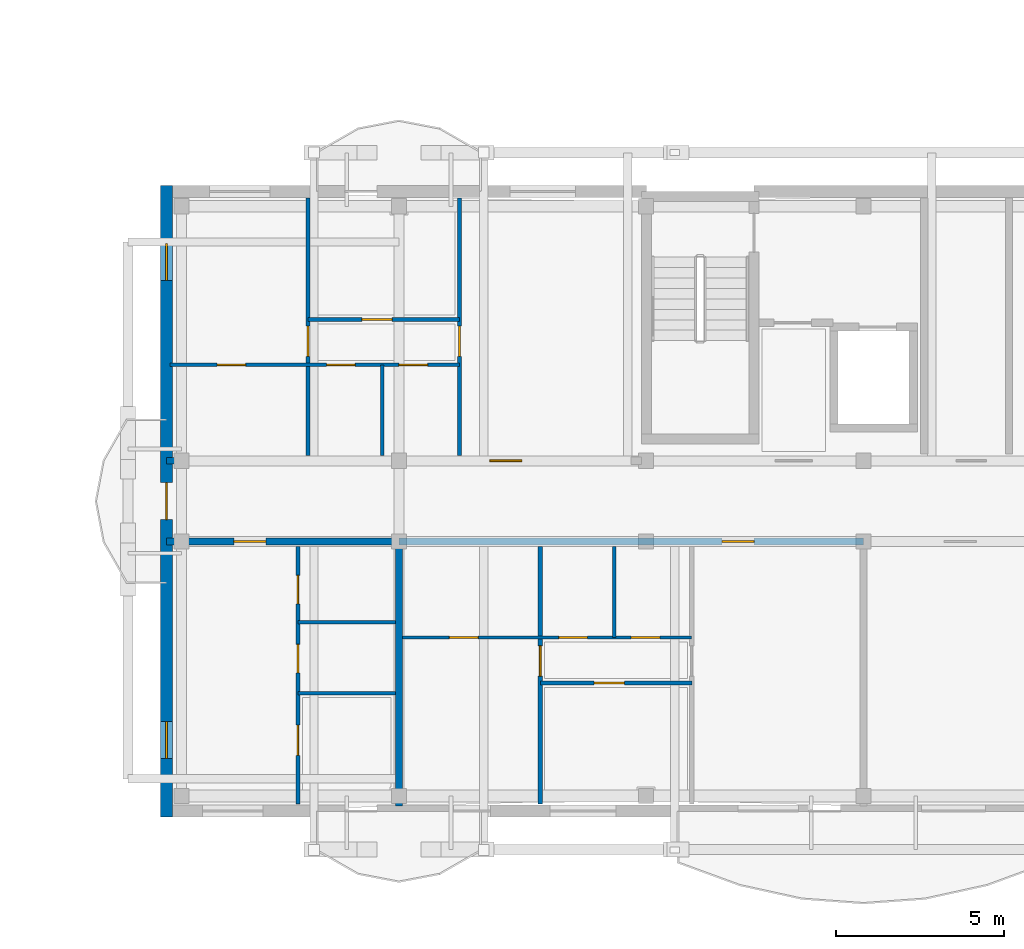
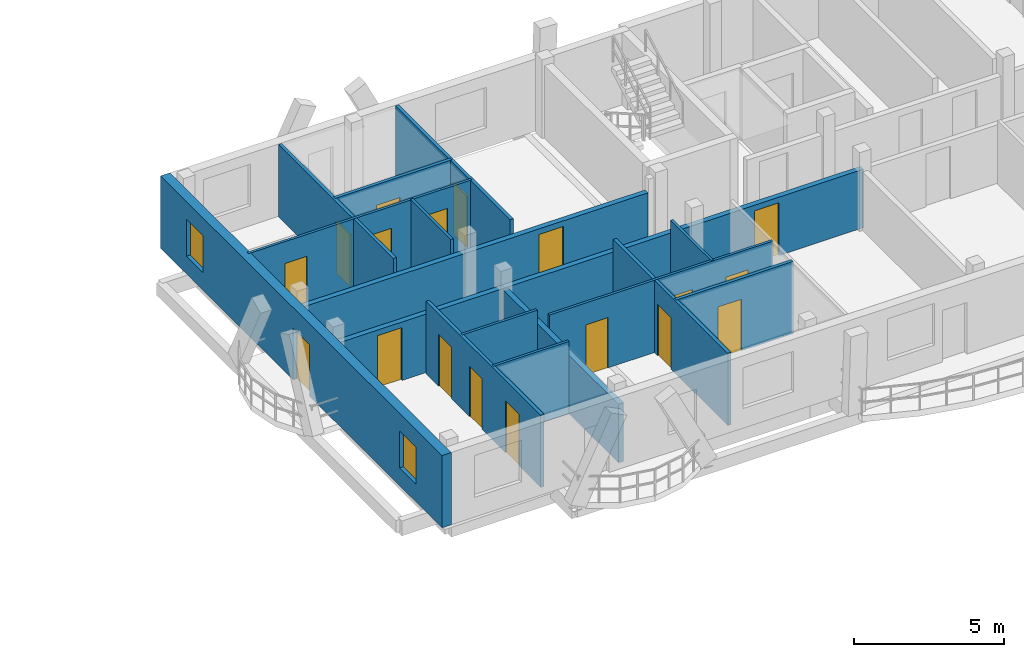
# One storey, part 22 of 52: 18 doors, 17 walls, 2 windows, 20 openings.
"""IFC4 building model written with IfcOpenShell, lengths in metres."""

from ifc_helpers import new_model, si_unit, direction, frame, frame_2d, origin, origin_with_axes, place, context, subcontext, project, spatial, rectangle, extrude, material, layer, layer_set, type_object, element, fill, save


model = new_model("IFC4")

# Units and contexts
model_context = context("Model", 3, precision=1e-05, world=origin(), true_north=direction((0.0, 1.0)))
body_context = subcontext(model_context, "Body", "Model", "MODEL_VIEW")
ifc_project = project(units=[si_unit("LENGTHUNIT", "METRE"), si_unit("AREAUNIT", "SQUARE_METRE"), si_unit("VOLUMEUNIT", "CUBIC_METRE"), si_unit("PLANEANGLEUNIT", "RADIAN"), si_unit("MASSUNIT", "GRAM", prefix="KILO")], contexts=[model_context])

# Site, building, storey
site_placement = place(None, origin())
site = spatial("IfcSite", under=ifc_project, at=site_placement, CompositionType="ELEMENT")
building_placement = place(site_placement, origin())
building = spatial("IfcBuilding", under=site, at=building_placement, Name="Zavelmont Quarter", CompositionType="ELEMENT")
storey_placement = place(building_placement, frame((0.0, 0.0, 14.39990234375)))
storey = spatial("IfcBuildingStorey", under=building, at=storey_placement, Name="L04", CompositionType="ELEMENT", Elevation=14.39990234375)

# Wall, openings, door, windows
ifc_material_1 = material(Name="Natural Belgian limestone", Category="masonry")
ifc_layer_1 = layer(ifc_material_1, 0.360107421875)
ifc_layer_set_1 = layer_set([ifc_layer_1], Name="Natural Belgian limestone")
wall_type_1 = type_object("IfcWallType", Name="EW02", PredefinedType="STANDARD", material=ifc_layer_set_1)
wall_1_placement = place(storey_placement, frame((112.800048828125, -0.179931640625, 0.0), z_axis=(0.0, 0.0, 1.0), x_axis=(0.0, 1.0, 0.0)))
wall_1 = element("IfcWall", 1, at=wall_1_placement, inside=storey, type_object=wall_type_1, Name="L04 exterior limestone wall EW02", PredefinedType="STANDARD", context=body_context, shape_type="SweptSolid", body=[
    extrude(rectangle(XDim=18.760009765625, YDim=0.360107421875, at=frame_2d((9.3798828125, 0.0))), origin(), (0.0, 0.0, 1.0), 2.940185546875),
])
opening_1_placement = place(wall_1_placement, frame((8.830078125, 0.0, 0.0)))
opening_1 = element("IfcOpeningElement", 2, at=opening_1_placement, cuts=wall_1, Name="Opening DR04B", PredefinedType="OPENING", context=body_context, shape_type="SweptSolid", body=[
    extrude(rectangle(XDim=1.10009765625, YDim=2.10009765625, at=frame_2d((0.550048828125, 1.050048828125))), frame((0.0, 0.19189453125, 0.0), z_axis=(0.0, -1.0, 0.0), x_axis=(1.0, 0.0, 0.0)), (0.0, 0.0, 1.0), 0.384033203125),
])
opening_2_placement = place(wall_1_placement, frame((1.72998046875, 0.0, 0.719970703125)))
opening_2 = element("IfcOpeningElement", 3, at=opening_2_placement, cuts=wall_1, Name="Opening WN09", PredefinedType="OPENING", context=body_context, shape_type="SweptSolid", body=[
    extrude(rectangle(XDim=1.10009765625, YDim=1.5, at=frame_2d((0.550048828125, 0.75))), frame((0.0, 0.19189453125, 0.0), z_axis=(0.0, -1.0, 0.0), x_axis=(1.0, 0.0, 0.0)), (0.0, 0.0, 1.0), 0.384033203125),
])
opening_3_placement = place(wall_1_placement, frame((15.929931640625, 0.0, 0.719970703125)))
opening_3 = element("IfcOpeningElement", 4, at=opening_3_placement, cuts=wall_1, Name="Opening WN09", PredefinedType="OPENING", context=body_context, shape_type="SweptSolid", body=[
    extrude(rectangle(XDim=1.10009765625, YDim=1.5, at=frame_2d((0.550048828125, 0.75))), frame((0.0, 0.19189453125, 0.0), z_axis=(0.0, -1.0, 0.0), x_axis=(1.0, 0.0, 0.0)), (0.0, 0.0, 1.0), 0.384033203125),
])
ifc_material_2 = material(Name="Thermally broken aluminium and double safety glass", Category="aluminium")
door_type_1 = type_object("IfcDoorType", Name="DR04B", OperationType="NOTDEFINED", PredefinedType="DOOR", material=ifc_material_2)
door_1_placement = place(opening_1_placement, frame((1.10009765625, 0.0, 0.0), z_axis=(0.0, 0.0, 1.0), x_axis=(-1.0, 0.0, 0.0)))
door_1 = element("IfcDoor", 5, at=door_1_placement, inside=storey, type_object=door_type_1, Name="Block D L04 terrace or vase balcony door", OperationType="SINGLE_SWING_RIGHT", OverallHeight=2.10009765625, OverallWidth=1.10009765625, PredefinedType="DOOR", context=body_context, shape_type="SweptSolid", body=[
    extrude(rectangle(XDim=1.10009765625, YDim=2.10009765625, at=frame_2d((0.550048828125, 1.050048828125))), frame((0.0, 0.02490234375, 0.0), z_axis=(0.0, -1.0, 0.0), x_axis=(1.0, 0.0, 0.0)), (0.0, 0.0, 1.0), 0.050048828125),
])
fill(opening_1, door_1)
ifc_material_3 = material(Name="Double low-E insulated glazing in thermally broken aluminium frame", Category="aluminium")
window_type = type_object("IfcWindowType", Name="WN09", PartitioningType="SINGLE_PANEL", PredefinedType="WINDOW", material=ifc_material_3)
window_1_placement = place(opening_2_placement, origin_with_axes())
window_1 = element("IfcWindow", 6, at=window_1_placement, inside=storey, type_object=window_type, Name="L04 window WN09", OverallHeight=1.5, OverallWidth=1.10009765625, PartitioningType="SINGLE_PANEL", PredefinedType="WINDOW", context=body_context, shape_type="SweptSolid", body=[
    extrude(rectangle(XDim=1.10009765625, YDim=1.5, at=frame_2d((0.550048828125, 0.75))), frame((0.0, 0.030029296875, 0.0), z_axis=(0.0, -1.0, 0.0), x_axis=(1.0, 0.0, 0.0)), (0.0, 0.0, 1.0), 0.06005859375),
])
fill(opening_2, window_1)
window_2_placement = place(opening_3_placement, origin_with_axes())
window_2 = element("IfcWindow", 7, at=window_2_placement, inside=storey, type_object=window_type, Name="L04 window WN09", OverallHeight=1.5, OverallWidth=1.10009765625, PartitioningType="SINGLE_PANEL", PredefinedType="WINDOW", context=body_context, shape_type="SweptSolid", body=[
    extrude(rectangle(XDim=1.10009765625, YDim=1.5, at=frame_2d((0.550048828125, 0.75))), frame((0.0, 0.030029296875, 0.0), z_axis=(0.0, -1.0, 0.0), x_axis=(1.0, 0.0, 0.0)), (0.0, 0.0, 1.0), 0.06005859375),
])
fill(opening_3, window_2)

# Wall
ifc_material_4 = material(Name="Calcium-silicate blockwork and acoustic plaster", Category="masonry")
ifc_layer_2 = layer(ifc_material_4, 0.199951171875)
ifc_layer_set_2 = layer_set([ifc_layer_2], Name="Calcium-silicate blockwork and acoustic plaster")
wall_type_2 = type_object("IfcWallType", Name="IW01", PredefinedType="PARTITIONING", material=ifc_layer_set_2)
wall_2_placement = place(storey_placement, frame((119.699951171875, 7.85009765625, 0.0), z_axis=(0.0, 0.0, 1.0), x_axis=(0.0, -1.0, 0.0)))
element("IfcWall", 8, at=wall_2_placement, inside=storey, type_object=wall_type_2, Name="L04 Inter-dwelling compartment wall IW01", PredefinedType="PARTITIONING", context=body_context, shape_type="SweptSolid", body=[
    extrude(rectangle(XDim=7.7001953125, YDim=0.199951171875, at=frame_2d((3.85009765625, 0.0))), origin(), (0.0, 0.0, 1.0), 2.380126953125),
])

# Wall, opening, door
wall_3_placement = place(storey_placement, frame((112.800048828125, 8.0, 0.0), z_axis=(0.0, 0.0, 1.0), x_axis=(1.0, 0.0, 0.0)))
wall_3 = element("IfcWall", 9, at=wall_3_placement, inside=storey, type_object=wall_type_2, Name="L04 Corridor compartment wall IW01", PredefinedType="PARTITIONING", context=body_context, shape_type="SweptSolid", body=[
    extrude(rectangle(XDim=6.89990234375, YDim=0.199951171875, at=frame_2d((3.449951171875, 0.0))), origin(), (0.0, 0.0, 1.0), 2.380126953125),
])
opening_4_placement = place(wall_3_placement, frame((2.0, 0.0, 0.0)))
opening_4 = element("IfcOpeningElement", 10, at=opening_4_placement, cuts=wall_3, Name="Opening DR02", PredefinedType="OPENING", context=body_context, shape_type="SweptSolid", body=[
    extrude(rectangle(XDim=0.949951171875, YDim=2.14990234375, at=frame_2d((0.47509765625, 1.074951171875))), frame((0.0, 0.11181640625, 0.0), z_axis=(0.0, -1.0, 0.0), x_axis=(1.0, 0.0, 0.0)), (0.0, 0.0, 1.0), 0.223876953125),
])
ifc_material_5 = material(Name="Solid-core oak fire leaf in steel frame", Category="steel")
door_type_2 = type_object("IfcDoorType", Name="DR02", OperationType="NOTDEFINED", PredefinedType="DOOR", material=ifc_material_5)
door_2_placement = place(opening_4_placement, frame((0.949951171875, 0.0, 0.0), z_axis=(0.0, 0.0, 1.0), x_axis=(-1.0, 0.0, 0.0)))
door_2 = element("IfcDoor", 11, at=door_2_placement, inside=storey, type_object=door_type_2, Name="L04 door DR02", OperationType="SINGLE_SWING_RIGHT", OverallHeight=2.14990234375, OverallWidth=0.949951171875, PredefinedType="DOOR", context=body_context, shape_type="SweptSolid", body=[
    extrude(rectangle(XDim=0.949951171875, YDim=2.14990234375, at=frame_2d((0.47509765625, 1.074951171875))), frame((0.0, 0.02490234375, 0.0), z_axis=(0.0, -1.0, 0.0), x_axis=(1.0, 0.0, 0.0)), (0.0, 0.0, 1.0), 0.050048828125),
])
fill(opening_4, door_2)

wall_4_placement = place(storey_placement, frame((119.699951171875, 8.0, 0.0), z_axis=(0.0, 0.0, 1.0), x_axis=(1.0, 0.0, 0.0)))
wall_4 = element("IfcWall", 12, at=wall_4_placement, inside=storey, type_object=wall_type_2, Name="L04 Corridor compartment wall IW01", PredefinedType="PARTITIONING", context=body_context, shape_type="SweptSolid", body=[
    extrude(rectangle(XDim=13.800048828125, YDim=0.199951171875, at=frame_2d((6.89990234375, 0.0))), origin(), (0.0, 0.0, 1.0), 2.380126953125),
])
opening_5_placement = place(wall_4_placement, frame((9.60009765625, 0.0, 0.0)))
opening_5 = element("IfcOpeningElement", 13, at=opening_5_placement, cuts=wall_4, Name="Opening DR02", PredefinedType="OPENING", context=body_context, shape_type="SweptSolid", body=[
    extrude(rectangle(XDim=0.949951171875, YDim=2.14990234375, at=frame_2d((0.47509765625, 1.074951171875))), frame((0.0, 0.11181640625, 0.0), z_axis=(0.0, -1.0, 0.0), x_axis=(1.0, 0.0, 0.0)), (0.0, 0.0, 1.0), 0.223876953125),
])
door_3_placement = place(opening_5_placement, frame((0.949951171875, 0.0, 0.0), z_axis=(0.0, 0.0, 1.0), x_axis=(-1.0, 0.0, 0.0)))
door_3 = element("IfcDoor", 14, at=door_3_placement, inside=storey, type_object=door_type_2, Name="L04 door DR02", OperationType="SINGLE_SWING_LEFT", OverallHeight=2.14990234375, OverallWidth=0.949951171875, PredefinedType="DOOR", context=body_context, shape_type="SweptSolid", body=[
    extrude(rectangle(XDim=0.949951171875, YDim=2.14990234375, at=frame_2d((0.47509765625, 1.074951171875))), frame((0.0, 0.02490234375, 0.0), z_axis=(0.0, -1.0, 0.0), x_axis=(1.0, 0.0, 0.0)), (0.0, 0.0, 1.0), 0.050048828125),
])
fill(opening_5, door_3)

wall_5_placement = place(storey_placement, frame((112.800048828125, 10.39990234375, 0.0), z_axis=(0.0, 0.0, 1.0), x_axis=(1.0, 0.0, 0.0)))
wall_5 = element("IfcWall", 15, at=wall_5_placement, inside=storey, type_object=wall_type_2, Name="L04 Corridor compartment wall IW01", PredefinedType="PARTITIONING", context=body_context, shape_type="SweptSolid", body=[
    extrude(rectangle(XDim=13.800048828125, YDim=0.199951171875, at=frame_2d((6.89990234375, 0.0))), origin(), (0.0, 0.0, 1.0), 2.380126953125),
])
opening_6_placement = place(wall_5_placement, frame((9.60009765625, 0.0, 0.0)))
opening_6 = element("IfcOpeningElement", 16, at=opening_6_placement, cuts=wall_5, Name="Opening DR02", PredefinedType="OPENING", context=body_context, shape_type="SweptSolid", body=[
    extrude(rectangle(XDim=0.949951171875, YDim=2.14990234375, at=frame_2d((0.47509765625, 1.074951171875))), frame((0.0, 0.11181640625, 0.0), z_axis=(0.0, -1.0, 0.0), x_axis=(1.0, 0.0, 0.0)), (0.0, 0.0, 1.0), 0.223876953125),
])
door_4_placement = place(opening_6_placement, origin_with_axes())
door_4 = element("IfcDoor", 17, at=door_4_placement, inside=storey, type_object=door_type_2, Name="L04 door DR02", OperationType="SINGLE_SWING_RIGHT", OverallHeight=2.14990234375, OverallWidth=0.949951171875, PredefinedType="DOOR", context=body_context, shape_type="SweptSolid", body=[
    extrude(rectangle(XDim=0.949951171875, YDim=2.14990234375, at=frame_2d((0.47509765625, 1.074951171875))), frame((0.0, 0.02490234375, 0.0), z_axis=(0.0, -1.0, 0.0), x_axis=(1.0, 0.0, 0.0)), (0.0, 0.0, 1.0), 0.050048828125),
])
fill(opening_6, door_4)

# Wall, openings, doors
ifc_material_6 = material(Name="Double gypsum board on acoustic steel stud", Category="steel")
ifc_layer_3 = layer(ifc_material_6, 0.125)
ifc_layer_set_3 = layer_set([ifc_layer_3], Name="Double gypsum board on acoustic steel stud")
wall_type_3 = type_object("IfcWallType", Name="IW03", PredefinedType="PARTITIONING", material=ifc_layer_set_3)
wall_6_placement = place(storey_placement, frame((116.699951171875, 7.85009765625, 0.0), z_axis=(0.0, 0.0, 1.0), x_axis=(0.0, -1.0, 0.0)))
wall_6 = element("IfcWall", 18, at=wall_6_placement, inside=storey, type_object=wall_type_3, Name="L04 Partition IW03", PredefinedType="PARTITIONING", context=body_context, shape_type="SweptSolid", body=[
    extrude(rectangle(XDim=7.650146484375, YDim=0.125, at=frame_2d((3.8251953125, 0.0))), origin(), (0.0, 0.0, 1.0), 2.940185546875),
])
opening_7_placement = place(wall_6_placement, frame((0.85009765625, 0.0, 0.0)))
opening_7 = element("IfcOpeningElement", 19, at=opening_7_placement, cuts=wall_6, Name="Opening DR16", PredefinedType="OPENING", context=body_context, shape_type="SweptSolid", body=[
    extrude(rectangle(XDim=0.85009765625, YDim=2.10009765625, at=frame_2d((0.425048828125, 1.050048828125))), frame((0.0, 0.074462890625, 0.0), z_axis=(0.0, -1.0, 0.0), x_axis=(1.0, 0.0, 0.0)), (0.0, 0.0, 1.0), 0.14892578125),
])
opening_8_placement = place(wall_6_placement, frame((2.89990234375, 0.0, 0.0)))
opening_8 = element("IfcOpeningElement", 20, at=opening_8_placement, cuts=wall_6, Name="Opening DR06", PredefinedType="OPENING", context=body_context, shape_type="SweptSolid", body=[
    extrude(rectangle(XDim=0.85009765625, YDim=2.050048828125, at=frame_2d((0.425048828125, 1.02490234375))), frame((0.0, 0.074462890625, 0.0), z_axis=(0.0, -1.0, 0.0), x_axis=(1.0, 0.0, 0.0)), (0.0, 0.0, 1.0), 0.14892578125),
])
opening_9_placement = place(wall_6_placement, frame((5.300048828125, 0.0, 0.0)))
opening_9 = element("IfcOpeningElement", 21, at=opening_9_placement, cuts=wall_6, Name="Opening DR05", PredefinedType="OPENING", context=body_context, shape_type="SweptSolid", body=[
    extrude(rectangle(XDim=0.89990234375, YDim=2.10009765625, at=frame_2d((0.449951171875, 1.050048828125))), frame((0.0, 0.074462890625, 0.0), z_axis=(0.0, -1.0, 0.0), x_axis=(1.0, 0.0, 0.0)), (0.0, 0.0, 1.0), 0.14892578125),
])
ifc_material_7 = material(Name="Engineered oak flush interior door")
door_type_3 = type_object("IfcDoorType", Name="DR05", OperationType="NOTDEFINED", PredefinedType="DOOR", material=ifc_material_7)
door_5_placement = place(opening_9_placement, origin_with_axes())
door_5 = element("IfcDoor", 22, at=door_5_placement, inside=storey, type_object=door_type_3, Name="L04 door DR05", OperationType="SINGLE_SWING_RIGHT", OverallHeight=2.10009765625, OverallWidth=0.89990234375, PredefinedType="DOOR", context=body_context, shape_type="SweptSolid", body=[
    extrude(rectangle(XDim=0.89990234375, YDim=2.10009765625, at=frame_2d((0.449951171875, 1.050048828125))), frame((0.0, 0.02490234375, 0.0), z_axis=(0.0, -1.0, 0.0), x_axis=(1.0, 0.0, 0.0)), (0.0, 0.0, 1.0), 0.050048828125),
])
fill(opening_9, door_5)
ifc_material_8 = material(Name="Moisture-resistant painted wet-room door")
door_type_4 = type_object("IfcDoorType", Name="DR06", OperationType="NOTDEFINED", PredefinedType="DOOR", material=ifc_material_8)
door_6_placement = place(opening_8_placement, frame((0.85009765625, 0.0, 0.0), z_axis=(0.0, 0.0, 1.0), x_axis=(-1.0, 0.0, 0.0)))
door_6 = element("IfcDoor", 23, at=door_6_placement, inside=storey, type_object=door_type_4, Name="L04 door DR06", OperationType="SINGLE_SWING_LEFT", OverallHeight=2.050048828125, OverallWidth=0.85009765625, PredefinedType="DOOR", context=body_context, shape_type="SweptSolid", body=[
    extrude(rectangle(XDim=0.85009765625, YDim=2.050048828125, at=frame_2d((0.425048828125, 1.02490234375))), frame((0.0, 0.02490234375, 0.0), z_axis=(0.0, -1.0, 0.0), x_axis=(1.0, 0.0, 0.0)), (0.0, 0.0, 1.0), 0.050048828125),
])
fill(opening_8, door_6)
door_type_5 = type_object("IfcDoorType", Name="DR16", OperationType="NOTDEFINED", PredefinedType="DOOR", material=ifc_material_7)
door_7_placement = place(opening_7_placement, origin_with_axes())
door_7 = element("IfcDoor", 24, at=door_7_placement, inside=storey, type_object=door_type_5, Name="L04 door DR16", OperationType="SINGLE_SWING_RIGHT", OverallHeight=2.10009765625, OverallWidth=0.85009765625, PredefinedType="DOOR", context=body_context, shape_type="SweptSolid", body=[
    extrude(rectangle(XDim=0.85009765625, YDim=2.10009765625, at=frame_2d((0.425048828125, 1.050048828125))), frame((0.0, 0.02490234375, 0.0), z_axis=(0.0, -1.0, 0.0), x_axis=(1.0, 0.0, 0.0)), (0.0, 0.0, 1.0), 0.050048828125),
])
fill(opening_7, door_7)

# Wall, opening, door
wall_7_placement = place(storey_placement, frame((123.89990234375, 7.85009765625, 0.0), z_axis=(0.0, 0.0, 1.0), x_axis=(0.0, -1.0, 0.0)))
wall_7 = element("IfcWall", 25, at=wall_7_placement, inside=storey, type_object=wall_type_3, Name="L04 Partition IW03", PredefinedType="PARTITIONING", context=body_context, shape_type="SweptSolid", body=[
    extrude(rectangle(XDim=7.650146484375, YDim=0.125, at=frame_2d((3.8251953125, 0.0))), origin(), (0.0, 0.0, 1.0), 2.940185546875),
])
opening_10_placement = place(wall_7_placement, frame((2.949951171875, 0.0, 0.0)))
opening_10 = element("IfcOpeningElement", 26, at=opening_10_placement, cuts=wall_7, Name="Opening DR05", PredefinedType="OPENING", context=body_context, shape_type="SweptSolid", body=[
    extrude(rectangle(XDim=0.89990234375, YDim=2.10009765625, at=frame_2d((0.449951171875, 1.050048828125))), frame((0.0, 0.074462890625, 0.0), z_axis=(0.0, -1.0, 0.0), x_axis=(1.0, 0.0, 0.0)), (0.0, 0.0, 1.0), 0.14892578125),
])
door_8_placement = place(opening_10_placement, frame((0.89990234375, 0.0, 0.0), z_axis=(0.0, 0.0, 1.0), x_axis=(-1.0, 0.0, 0.0)))
door_8 = element("IfcDoor", 27, at=door_8_placement, inside=storey, type_object=door_type_3, Name="L04 door DR05", OperationType="SINGLE_SWING_RIGHT", OverallHeight=2.10009765625, OverallWidth=0.89990234375, PredefinedType="DOOR", context=body_context, shape_type="SweptSolid", body=[
    extrude(rectangle(XDim=0.89990234375, YDim=2.10009765625, at=frame_2d((0.449951171875, 1.050048828125))), frame((0.0, 0.02490234375, 0.0), z_axis=(0.0, -1.0, 0.0), x_axis=(1.0, 0.0, 0.0)), (0.0, 0.0, 1.0), 0.050048828125),
])
fill(opening_10, door_8)

wall_8_placement = place(storey_placement, frame((123.89990234375, 3.800048828125, 0.0), z_axis=(0.0, 0.0, 1.0), x_axis=(1.0, 0.0, 0.0)))
wall_8 = element("IfcWall", 28, at=wall_8_placement, inside=storey, type_object=wall_type_3, Name="L04 Partition IW03", PredefinedType="PARTITIONING", context=body_context, shape_type="SweptSolid", body=[
    extrude(rectangle(XDim=4.5, YDim=0.125, at=frame_2d((2.25, 0.0))), origin(), (0.0, 0.0, 1.0), 2.940185546875),
])
opening_11_placement = place(wall_8_placement, frame((1.60009765625, 0.0, 0.0)))
opening_11 = element("IfcOpeningElement", 29, at=opening_11_placement, cuts=wall_8, Name="Opening DR05", PredefinedType="OPENING", context=body_context, shape_type="SweptSolid", body=[
    extrude(rectangle(XDim=0.89990234375, YDim=2.10009765625, at=frame_2d((0.449951171875, 1.050048828125))), frame((0.0, 0.074462890625, 0.0), z_axis=(0.0, -1.0, 0.0), x_axis=(1.0, 0.0, 0.0)), (0.0, 0.0, 1.0), 0.14892578125),
])
door_9_placement = place(opening_11_placement, frame((0.89990234375, 0.0, 0.0), z_axis=(0.0, 0.0, 1.0), x_axis=(-1.0, 0.0, 0.0)))
door_9 = element("IfcDoor", 30, at=door_9_placement, inside=storey, type_object=door_type_3, Name="L04 door DR05", OperationType="SINGLE_SWING_RIGHT", OverallHeight=2.10009765625, OverallWidth=0.89990234375, PredefinedType="DOOR", context=body_context, shape_type="SweptSolid", body=[
    extrude(rectangle(XDim=0.89990234375, YDim=2.10009765625, at=frame_2d((0.449951171875, 1.050048828125))), frame((0.0, 0.02490234375, 0.0), z_axis=(0.0, -1.0, 0.0), x_axis=(1.0, 0.0, 0.0)), (0.0, 0.0, 1.0), 0.050048828125),
])
fill(opening_11, door_9)

wall_9_placement = place(storey_placement, frame((121.5, 10.550048828125, 0.0), z_axis=(0.0, 0.0, 1.0), x_axis=(0.0, 1.0, 0.0)))
wall_9 = element("IfcWall", 31, at=wall_9_placement, inside=storey, type_object=wall_type_3, Name="L04 Partition IW03", PredefinedType="PARTITIONING", context=body_context, shape_type="SweptSolid", body=[
    extrude(rectangle(XDim=7.64990234375, YDim=0.125, at=frame_2d((3.824951171875, 0.0))), origin(), (0.0, 0.0, 1.0), 2.940185546875),
])
opening_12_placement = place(wall_9_placement, frame((2.949951171875, 0.0, 0.0)))
opening_12 = element("IfcOpeningElement", 32, at=opening_12_placement, cuts=wall_9, Name="Opening DR05", PredefinedType="OPENING", context=body_context, shape_type="SweptSolid", body=[
    extrude(rectangle(XDim=0.89990234375, YDim=2.10009765625, at=frame_2d((0.449951171875, 1.050048828125))), frame((0.0, 0.074462890625, 0.0), z_axis=(0.0, -1.0, 0.0), x_axis=(1.0, 0.0, 0.0)), (0.0, 0.0, 1.0), 0.14892578125),
])
door_10_placement = place(opening_12_placement, origin_with_axes())
door_10 = element("IfcDoor", 33, at=door_10_placement, inside=storey, type_object=door_type_3, Name="L04 door DR05", OperationType="SINGLE_SWING_RIGHT", OverallHeight=2.10009765625, OverallWidth=0.89990234375, PredefinedType="DOOR", context=body_context, shape_type="SweptSolid", body=[
    extrude(rectangle(XDim=0.89990234375, YDim=2.10009765625, at=frame_2d((0.449951171875, 1.050048828125))), frame((0.0, 0.02490234375, 0.0), z_axis=(0.0, -1.0, 0.0), x_axis=(1.0, 0.0, 0.0)), (0.0, 0.0, 1.0), 0.050048828125),
])
fill(opening_12, door_10)

wall_10_placement = place(storey_placement, frame((117.0, 10.550048828125, 0.0), z_axis=(0.0, 0.0, 1.0), x_axis=(0.0, 1.0, 0.0)))
wall_10 = element("IfcWall", 34, at=wall_10_placement, inside=storey, type_object=wall_type_3, Name="L04 Partition IW03", PredefinedType="PARTITIONING", context=body_context, shape_type="SweptSolid", body=[
    extrude(rectangle(XDim=7.64990234375, YDim=0.125, at=frame_2d((3.824951171875, 0.0))), origin(), (0.0, 0.0, 1.0), 2.940185546875),
])
opening_13_placement = place(wall_10_placement, frame((2.949951171875, 0.0, 0.0)))
opening_13 = element("IfcOpeningElement", 35, at=opening_13_placement, cuts=wall_10, Name="Opening DR05", PredefinedType="OPENING", context=body_context, shape_type="SweptSolid", body=[
    extrude(rectangle(XDim=0.89990234375, YDim=2.10009765625, at=frame_2d((0.449951171875, 1.050048828125))), frame((0.0, 0.074462890625, 0.0), z_axis=(0.0, -1.0, 0.0), x_axis=(1.0, 0.0, 0.0)), (0.0, 0.0, 1.0), 0.14892578125),
])
door_11_placement = place(opening_13_placement, frame((0.89990234375, 0.0, 0.0), z_axis=(0.0, 0.0, 1.0), x_axis=(-1.0, 0.0, 0.0)))
door_11 = element("IfcDoor", 36, at=door_11_placement, inside=storey, type_object=door_type_3, Name="L04 door DR05", OperationType="SINGLE_SWING_LEFT", OverallHeight=2.10009765625, OverallWidth=0.89990234375, PredefinedType="DOOR", context=body_context, shape_type="SweptSolid", body=[
    extrude(rectangle(XDim=0.89990234375, YDim=2.10009765625, at=frame_2d((0.449951171875, 1.050048828125))), frame((0.0, 0.02490234375, 0.0), z_axis=(0.0, -1.0, 0.0), x_axis=(1.0, 0.0, 0.0)), (0.0, 0.0, 1.0), 0.050048828125),
])
fill(opening_13, door_11)

wall_11_placement = place(storey_placement, frame((117.0, 14.60009765625, 0.0), z_axis=(0.0, 0.0, 1.0), x_axis=(1.0, 0.0, 0.0)))
wall_11 = element("IfcWall", 37, at=wall_11_placement, inside=storey, type_object=wall_type_3, Name="L04 Partition IW03", PredefinedType="PARTITIONING", context=body_context, shape_type="SweptSolid", body=[
    extrude(rectangle(XDim=4.5, YDim=0.125, at=frame_2d((2.25, 0.0))), origin(), (0.0, 0.0, 1.0), 2.940185546875),
])
opening_14_placement = place(wall_11_placement, frame((1.60009765625, 0.0, 0.0)))
opening_14 = element("IfcOpeningElement", 38, at=opening_14_placement, cuts=wall_11, Name="Opening DR05", PredefinedType="OPENING", context=body_context, shape_type="SweptSolid", body=[
    extrude(rectangle(XDim=0.89990234375, YDim=2.10009765625, at=frame_2d((0.449951171875, 1.050048828125))), frame((0.0, 0.074462890625, 0.0), z_axis=(0.0, -1.0, 0.0), x_axis=(1.0, 0.0, 0.0)), (0.0, 0.0, 1.0), 0.14892578125),
])
door_12_placement = place(opening_14_placement, frame((0.89990234375, 0.0, 0.0), z_axis=(0.0, 0.0, 1.0), x_axis=(-1.0, 0.0, 0.0)))
door_12 = element("IfcDoor", 39, at=door_12_placement, inside=storey, type_object=door_type_3, Name="L04 door DR05", OperationType="SINGLE_SWING_LEFT", OverallHeight=2.10009765625, OverallWidth=0.89990234375, PredefinedType="DOOR", context=body_context, shape_type="SweptSolid", body=[
    extrude(rectangle(XDim=0.89990234375, YDim=2.10009765625, at=frame_2d((0.449951171875, 1.050048828125))), frame((0.0, 0.02490234375, 0.0), z_axis=(0.0, -1.0, 0.0), x_axis=(1.0, 0.0, 0.0)), (0.0, 0.0, 1.0), 0.050048828125),
])
fill(opening_14, door_12)

# Walls
ifc_material_9 = material(Name="Moisture-resistant gypsum board on steel stud", Category="steel")
ifc_layer_4 = layer(ifc_material_9, 0.10009765625)
ifc_layer_set_4 = layer_set([ifc_layer_4], Name="Moisture-resistant gypsum board on steel stud")
wall_type_4 = type_object("IfcWallType", Name="IW04", PredefinedType="PARTITIONING", material=ifc_layer_set_4)
for number, where, z_axis, x_axis, name in (
    (40, (116.699951171875, 5.60009765625, 0.0), (0.0, 0.0, 1.0), (1.0, 0.0, 0.0), "L04 Partition IW04"),
    (41, (116.699951171875, 3.5, 0.0), (0.0, 0.0, 1.0), (1.0, 0.0, 0.0), "L04 Partition IW04"),
):
    element("IfcWall", number, at=place(storey_placement, frame(where, z_axis=z_axis, x_axis=x_axis)), inside=storey, type_object=wall_type_4, Name=name, PredefinedType="PARTITIONING", context=body_context, shape_type="SweptSolid", body=[
        extrude(rectangle(XDim=2.900146484375, YDim=0.10009765625, at=frame_2d((1.4501953125, 0.0))), origin(), (0.0, 0.0, 1.0), 2.940185546875),
    ])
wall_12_placement = place(storey_placement, frame((126.10009765625, 7.85009765625, 0.0), z_axis=(0.0, 0.0, 1.0), x_axis=(0.0, -1.0, 0.0)))
element("IfcWall", 42, at=wall_12_placement, inside=storey, type_object=wall_type_4, Name="L04 Partition IW04", PredefinedType="PARTITIONING", context=body_context, shape_type="SweptSolid", body=[
    extrude(rectangle(XDim=2.7001953125, YDim=0.10009765625, at=frame_2d((1.35009765625, 0.0))), origin(), (0.0, 0.0, 1.0), 2.940185546875),
])

# Wall, openings, doors
wall_13_placement = place(storey_placement, frame((119.800048828125, 5.14990234375, 0.0), z_axis=(0.0, 0.0, 1.0), x_axis=(1.0, 0.0, 0.0)))
wall_13 = element("IfcWall", 43, at=wall_13_placement, inside=storey, type_object=wall_type_4, Name="L04 Partition IW04", PredefinedType="PARTITIONING", context=body_context, shape_type="SweptSolid", body=[
    extrude(rectangle(XDim=8.599853515625, YDim=0.10009765625, at=frame_2d((4.2998046875, 0.0))), origin(), (0.0, 0.0, 1.0), 2.940185546875),
])
opening_15_placement = place(wall_13_placement, frame((1.39990234375, 0.0, 0.0)))
opening_15 = element("IfcOpeningElement", 44, at=opening_15_placement, cuts=wall_13, Name="Opening DR06", PredefinedType="OPENING", context=body_context, shape_type="SweptSolid", body=[
    extrude(rectangle(XDim=0.85009765625, YDim=2.050048828125, at=frame_2d((0.425048828125, 1.02490234375))), frame((0.0, 0.06201171875, 0.0), z_axis=(0.0, -1.0, 0.0), x_axis=(1.0, 0.0, 0.0)), (0.0, 0.0, 1.0), 0.1240234375),
])
opening_16_placement = place(wall_13_placement, frame((4.64990234375, 0.0, 0.0)))
opening_16 = element("IfcOpeningElement", 45, at=opening_16_placement, cuts=wall_13, Name="Opening DR06", PredefinedType="OPENING", context=body_context, shape_type="SweptSolid", body=[
    extrude(rectangle(XDim=0.85009765625, YDim=2.050048828125, at=frame_2d((0.425048828125, 1.02490234375))), frame((0.0, 0.06201171875, 0.0), z_axis=(0.0, -1.0, 0.0), x_axis=(1.0, 0.0, 0.0)), (0.0, 0.0, 1.0), 0.1240234375),
])
opening_17_placement = place(wall_13_placement, frame((6.800048828125, 0.0, 0.0)))
opening_17 = element("IfcOpeningElement", 46, at=opening_17_placement, cuts=wall_13, Name="Opening DR16", PredefinedType="OPENING", context=body_context, shape_type="SweptSolid", body=[
    extrude(rectangle(XDim=0.85009765625, YDim=2.10009765625, at=frame_2d((0.425048828125, 1.050048828125))), frame((0.0, 0.06201171875, 0.0), z_axis=(0.0, -1.0, 0.0), x_axis=(1.0, 0.0, 0.0)), (0.0, 0.0, 1.0), 0.1240234375),
])
door_13_placement = place(opening_15_placement, origin_with_axes())
door_13 = element("IfcDoor", 47, at=door_13_placement, inside=storey, type_object=door_type_4, Name="L04 door DR06", OperationType="SINGLE_SWING_LEFT", OverallHeight=2.050048828125, OverallWidth=0.85009765625, PredefinedType="DOOR", context=body_context, shape_type="SweptSolid", body=[
    extrude(rectangle(XDim=0.85009765625, YDim=2.050048828125, at=frame_2d((0.425048828125, 1.02490234375))), frame((0.0, 0.02490234375, 0.0), z_axis=(0.0, -1.0, 0.0), x_axis=(1.0, 0.0, 0.0)), (0.0, 0.0, 1.0), 0.050048828125),
])
fill(opening_15, door_13)
door_14_placement = place(opening_16_placement, frame((0.85009765625, 0.0, 0.0), z_axis=(0.0, 0.0, 1.0), x_axis=(-1.0, 0.0, 0.0)))
door_14 = element("IfcDoor", 48, at=door_14_placement, inside=storey, type_object=door_type_4, Name="L04 door DR06", OperationType="SINGLE_SWING_RIGHT", OverallHeight=2.050048828125, OverallWidth=0.85009765625, PredefinedType="DOOR", context=body_context, shape_type="SweptSolid", body=[
    extrude(rectangle(XDim=0.85009765625, YDim=2.050048828125, at=frame_2d((0.425048828125, 1.02490234375))), frame((0.0, 0.02490234375, 0.0), z_axis=(0.0, -1.0, 0.0), x_axis=(1.0, 0.0, 0.0)), (0.0, 0.0, 1.0), 0.050048828125),
])
fill(opening_16, door_14)
door_15_placement = place(opening_17_placement, origin_with_axes())
door_15 = element("IfcDoor", 49, at=door_15_placement, inside=storey, type_object=door_type_5, Name="L04 door DR16", OperationType="SINGLE_SWING_LEFT", OverallHeight=2.10009765625, OverallWidth=0.85009765625, PredefinedType="DOOR", context=body_context, shape_type="SweptSolid", body=[
    extrude(rectangle(XDim=0.85009765625, YDim=2.10009765625, at=frame_2d((0.425048828125, 1.050048828125))), frame((0.0, 0.02490234375, 0.0), z_axis=(0.0, -1.0, 0.0), x_axis=(1.0, 0.0, 0.0)), (0.0, 0.0, 1.0), 0.050048828125),
])
fill(opening_17, door_15)

# Wall
wall_14_placement = place(storey_placement, frame((119.199951171875, 10.550048828125, 0.0), z_axis=(0.0, 0.0, 1.0), x_axis=(0.0, 1.0, 0.0)))
element("IfcWall", 50, at=wall_14_placement, inside=storey, type_object=wall_type_4, Name="L04 Partition IW04", PredefinedType="PARTITIONING", context=body_context, shape_type="SweptSolid", body=[
    extrude(rectangle(XDim=2.699951171875, YDim=0.10009765625, at=frame_2d((1.35009765625, 0.0))), origin(), (0.0, 0.0, 1.0), 2.940185546875),
])

# Wall, openings, doors
wall_15_placement = place(storey_placement, frame((112.89990234375, 13.25, 0.0), z_axis=(0.0, 0.0, 1.0), x_axis=(1.0, 0.0, 0.0)))
wall_15 = element("IfcWall", 51, at=wall_15_placement, inside=storey, type_object=wall_type_4, Name="L04 Partition IW04", PredefinedType="PARTITIONING", context=body_context, shape_type="SweptSolid", body=[
    extrude(rectangle(XDim=8.60009765625, YDim=0.10009765625, at=frame_2d((4.300048828125, 0.0))), origin(), (0.0, 0.0, 1.0), 2.940185546875),
])
opening_18_placement = place(wall_15_placement, frame((1.39990234375, 0.0, 0.0)))
opening_18 = element("IfcOpeningElement", 52, at=opening_18_placement, cuts=wall_15, Name="Opening DR06", PredefinedType="OPENING", context=body_context, shape_type="SweptSolid", body=[
    extrude(rectangle(XDim=0.85009765625, YDim=2.050048828125, at=frame_2d((0.425048828125, 1.02490234375))), frame((0.0, 0.06201171875, 0.0), z_axis=(0.0, -1.0, 0.0), x_axis=(1.0, 0.0, 0.0)), (0.0, 0.0, 1.0), 0.1240234375),
])
opening_19_placement = place(wall_15_placement, frame((4.64990234375, 0.0, 0.0)))
opening_19 = element("IfcOpeningElement", 53, at=opening_19_placement, cuts=wall_15, Name="Opening DR06", PredefinedType="OPENING", context=body_context, shape_type="SweptSolid", body=[
    extrude(rectangle(XDim=0.85009765625, YDim=2.050048828125, at=frame_2d((0.425048828125, 1.02490234375))), frame((0.0, 0.06201171875, 0.0), z_axis=(0.0, -1.0, 0.0), x_axis=(1.0, 0.0, 0.0)), (0.0, 0.0, 1.0), 0.1240234375),
])
opening_20_placement = place(wall_15_placement, frame((6.800048828125, 0.0, 0.0)))
opening_20 = element("IfcOpeningElement", 54, at=opening_20_placement, cuts=wall_15, Name="Opening DR16", PredefinedType="OPENING", context=body_context, shape_type="SweptSolid", body=[
    extrude(rectangle(XDim=0.85009765625, YDim=2.10009765625, at=frame_2d((0.425048828125, 1.050048828125))), frame((0.0, 0.06201171875, 0.0), z_axis=(0.0, -1.0, 0.0), x_axis=(1.0, 0.0, 0.0)), (0.0, 0.0, 1.0), 0.1240234375),
])
door_16_placement = place(opening_18_placement, origin_with_axes())
door_16 = element("IfcDoor", 55, at=door_16_placement, inside=storey, type_object=door_type_4, Name="L04 door DR06", OperationType="SINGLE_SWING_RIGHT", OverallHeight=2.050048828125, OverallWidth=0.85009765625, PredefinedType="DOOR", context=body_context, shape_type="SweptSolid", body=[
    extrude(rectangle(XDim=0.85009765625, YDim=2.050048828125, at=frame_2d((0.425048828125, 1.02490234375))), frame((0.0, 0.02490234375, 0.0), z_axis=(0.0, -1.0, 0.0), x_axis=(1.0, 0.0, 0.0)), (0.0, 0.0, 1.0), 0.050048828125),
])
fill(opening_18, door_16)
door_17_placement = place(opening_19_placement, frame((0.85009765625, 0.0, 0.0), z_axis=(0.0, 0.0, 1.0), x_axis=(-1.0, 0.0, 0.0)))
door_17 = element("IfcDoor", 56, at=door_17_placement, inside=storey, type_object=door_type_4, Name="L04 door DR06", OperationType="SINGLE_SWING_LEFT", OverallHeight=2.050048828125, OverallWidth=0.85009765625, PredefinedType="DOOR", context=body_context, shape_type="SweptSolid", body=[
    extrude(rectangle(XDim=0.85009765625, YDim=2.050048828125, at=frame_2d((0.425048828125, 1.02490234375))), frame((0.0, 0.02490234375, 0.0), z_axis=(0.0, -1.0, 0.0), x_axis=(1.0, 0.0, 0.0)), (0.0, 0.0, 1.0), 0.050048828125),
])
fill(opening_19, door_17)
door_18_placement = place(opening_20_placement, origin_with_axes())
door_18 = element("IfcDoor", 57, at=door_18_placement, inside=storey, type_object=door_type_5, Name="L04 door DR16", OperationType="SINGLE_SWING_RIGHT", OverallHeight=2.10009765625, OverallWidth=0.85009765625, PredefinedType="DOOR", context=body_context, shape_type="SweptSolid", body=[
    extrude(rectangle(XDim=0.85009765625, YDim=2.10009765625, at=frame_2d((0.425048828125, 1.050048828125))), frame((0.0, 0.02490234375, 0.0), z_axis=(0.0, -1.0, 0.0), x_axis=(1.0, 0.0, 0.0)), (0.0, 0.0, 1.0), 0.050048828125),
])
fill(opening_20, door_18)

save(model, "model.ifc")
